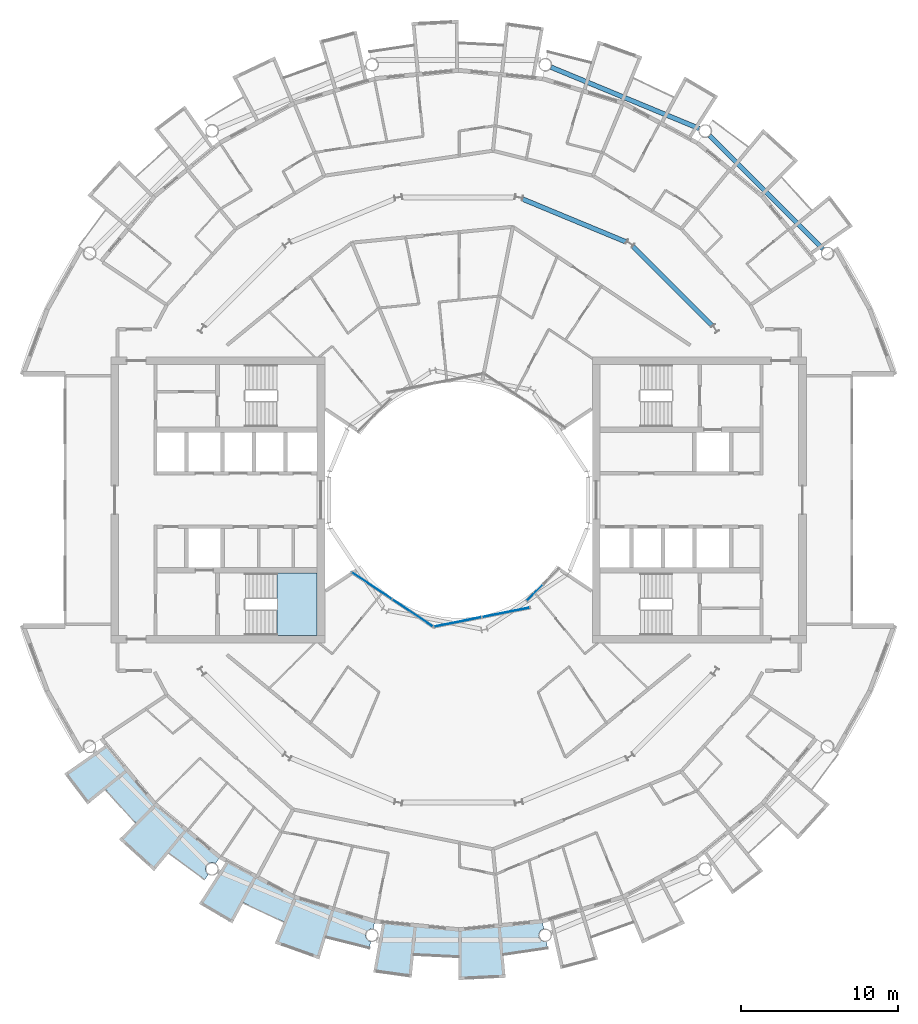
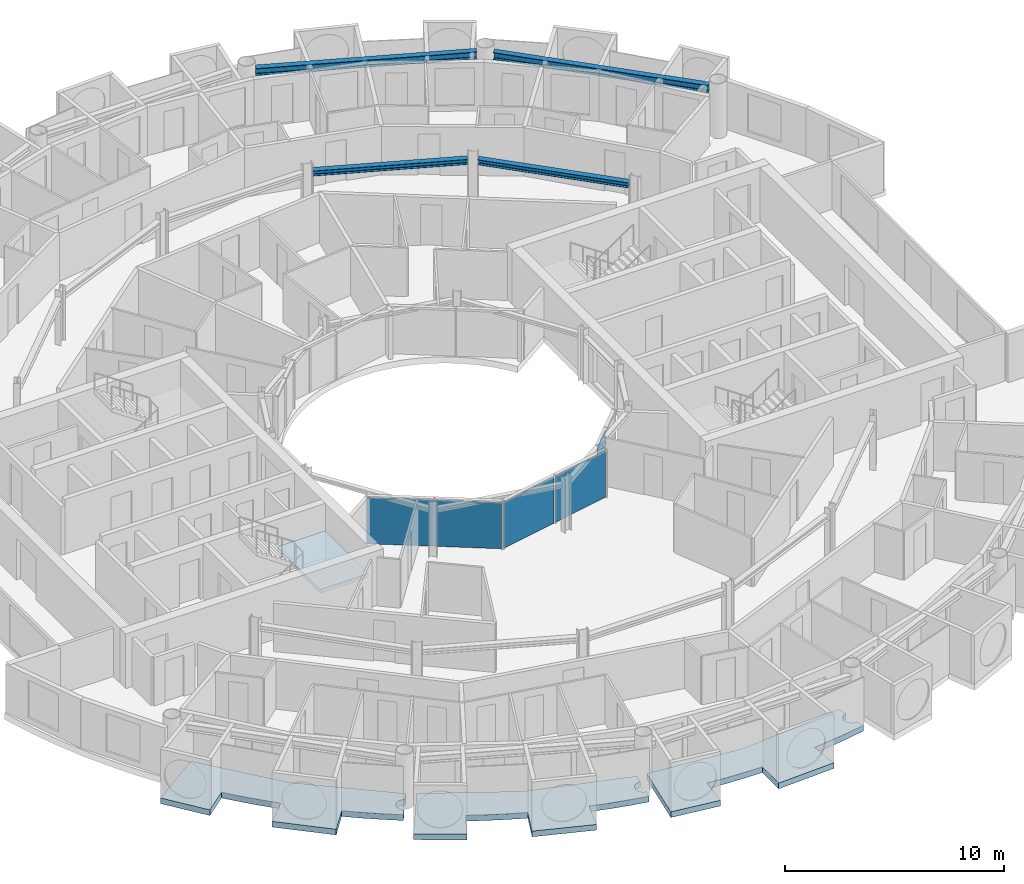
# One storey, part 10 of 27: 5 plates, 4 beams, 4 slabs, 4 elements without a shape of their own.
"""IFC4 building model written with IfcOpenShell, lengths in metres."""

from ifc_helpers import new_model, si_unit, direction, frame, origin, origin_2d, place, context, subcontext, project, spatial, polyline, rectangle, i_section, outline, extrude, material, layer, layer_set, material_profile, profile_set, type_object, element, aggregate, save


model = new_model("IFC4")

# Units and contexts
model_context = context("Model", 3, precision=1e-05, world=origin(), true_north=direction((0.0, 1.0)))
body_context = subcontext(model_context, "Body", "Model", "MODEL_VIEW")
ifc_project = project(units=[si_unit("LENGTHUNIT", "METRE"), si_unit("AREAUNIT", "SQUARE_METRE"), si_unit("VOLUMEUNIT", "CUBIC_METRE"), si_unit("PLANEANGLEUNIT", "RADIAN"), si_unit("MASSUNIT", "GRAM", prefix="KILO")], contexts=[model_context])

# Site, building, storey
site_placement = place(None, origin())
site = spatial("IfcSite", under=ifc_project, at=site_placement, CompositionType="ELEMENT")
building_placement = place(site_placement, origin())
building = spatial("IfcBuilding", under=site, at=building_placement, Name="Maasbend Ring Residences", CompositionType="ELEMENT")
storey_placement = place(building_placement, frame((0.0, 0.0, 145.199951171875)))
storey = spatial("IfcBuildingStorey", under=building, at=storey_placement, Name="L41", CompositionType="ELEMENT", Elevation=145.199951171875)

# Beams
ifc_material_1 = material(Name="Steel S355J2", Category="steel")
ifc_material_profile_1 = material_profile(ifc_material_1, i_section(OverallWidth=0.300048828125, OverallDepth=0.2900390625, WebThickness=0.008544921875, FlangeThickness=0.013916015625, FilletRadius=0.027099609375, at=origin_2d()), Name="HEA 300")
ifc_profile_set_1 = profile_set([ifc_material_profile_1], Name="Steel S355J2")
beam_type_1 = type_object("IfcBeamType", Name="Corridor ring beam HEA 300", PredefinedType="BEAM", material=ifc_profile_set_1)
for number, where, z_axis, x_axis, name in (
    (1, (16.11669921875, 11.0693359375, 2.554931640625), (-0.707106781187, 0.707106781187, 0.0), (-0.707106781187, -0.707106781187, 0.0), "Corridor ring beam"),
    (2, (10.65380859375, 16.394287109375, 2.554931640625), (-0.923871339849, 0.382703210602, 0.0), (-0.382703210602, -0.923871339849, 0.0), "Corridor ring beam"),
):
    element("IfcBeam", number, at=place(storey_placement, frame(where, z_axis=z_axis, x_axis=x_axis)), inside=storey, type_object=beam_type_1, Name=name, PredefinedType="BEAM", context=body_context, shape_type="SweptSolid", body=[
        extrude(i_section(OverallWidth=0.300048828125, OverallDepth=0.2900390625, WebThickness=0.008544921875, FlangeThickness=0.013916015625, FilletRadius=0.027099609375, at=origin_2d()), origin(), (0.0, 0.0, 1.0), 7.137939453125),
    ])
ifc_material_2 = material(Name="Steel S355J2", Category="steel")
ifc_material_profile_2 = material_profile(ifc_material_2, i_section(OverallWidth=0.300048828125, OverallDepth=0.39990234375, WebThickness=0.013427734375, FlangeThickness=0.02392578125, FilletRadius=0.027099609375, at=origin_2d()), Name="HEB 400")
ifc_profile_set_2 = profile_set([ifc_material_profile_2], Name="Steel S355J2")
beam_type_2 = type_object("IfcBeamType", Name="Spandrel ring beam HEB 400", PredefinedType="SPANDREL", material=ifc_profile_set_2)
for number, where, z_axis, x_axis, name in (
    (3, (23.159912109375, 15.95458984375, 2.5), (-0.707106781187, 0.707106781187, 0.0), (-0.707106781187, -0.707106781187, 0.0), "Spandrel ring beam"),
    (4, (15.29150390625, 23.60302734375, 2.5), (-0.923883676188, 0.382673428492, 0.0), (-0.382673428492, -0.923883676188, 0.0), "Spandrel ring beam"),
):
    element("IfcBeam", number, at=place(storey_placement, frame(where, z_axis=z_axis, x_axis=x_axis)), inside=storey, type_object=beam_type_2, Name=name, PredefinedType="SPANDREL", context=body_context, shape_type="SweptSolid", body=[
        extrude(i_section(OverallWidth=0.300048828125, OverallDepth=0.39990234375, WebThickness=0.013427734375, FlangeThickness=0.02392578125, FilletRadius=0.027099609375, at=origin_2d()), origin(), (0.0, 0.0, 1.0), 10.18994140625),
    ])

# Stair, slab
ifc_material_3 = material(Name="Concrete C40/50", Category="concrete")
stair_type = type_object("IfcStairType", Name="CORE STAIR 18 RISERS", PredefinedType="HALF_TURN_STAIR", material=ifc_material_3)
stair_placement = place(storey_placement, origin())
stair = element("IfcStair", 5, at=stair_placement, inside=storey, type_object=stair_type, Name="L41 Exit stair ST-W1", PredefinedType="HALF_TURN_STAIR")
ifc_material_4 = material(Name="Concrete C40/50", Category="concrete")
ifc_layer_1 = layer(ifc_material_4, 0.199951171875)
ifc_layer_set_1 = layer_set([ifc_layer_1], Name="Concrete C40/50")
slab_type_1 = type_object("IfcSlabType", Name="CORE STAIR LANDING 200", PredefinedType="LANDING", material=ifc_layer_set_1)
slab_1_placement = place(storey_placement, frame((0.0, 0.0, 1.324951171875)))
slab_1 = element("IfcSlab", 6, at=slab_1_placement, type_object=slab_type_1, Name="ST-W1 landing 1", PredefinedType="LANDING", context=body_context, shape_type="SweptSolid", body=[
    extrude(outline(polyline([(-11.550048828125, -8.60009765625), (-9.0, -8.60009765625), (-9.0, -4.64990234375), (-11.550048828125, -4.64990234375), (-11.550048828125, -8.60009765625)])), origin(), (0.0, 0.0, 1.0), 0.2001953125),
])
aggregate(stair, [slab_1])

# Curtain wall, plates
ifc_material_5 = material(Name="Aluminium and clear glass", Category="aluminium")
ifc_layer_2 = layer(ifc_material_5, 0.179931640625)
ifc_layer_set_2 = layer_set([ifc_layer_2], Name="CW-W")
curtain_wall_type = type_object("IfcCurtainWallType", Name="CW-W", PredefinedType="NOTDEFINED", material=ifc_layer_set_2)
curtain_wall_1_placement = place(storey_placement, origin())
curtain_wall_1 = element("IfcCurtainWall", 7, at=curtain_wall_1_placement, inside=storey, type_object=curtain_wall_type, Name="Well curtain wall S1", PredefinedType="NOTDEFINED")
ifc_material_6 = material(Name="Glass clear laminated", Category="glass")
ifc_layer_3 = layer(ifc_material_6, 0.031982421875)
ifc_layer_set_3 = layer_set([ifc_layer_3], Name="CWP-W")
plate_type = type_object("IfcPlateType", Name="CWP-W", PredefinedType="CURTAIN_PANEL", material=ifc_layer_set_3)
plate_1_placement = place(storey_placement, frame((-5.51123046875, -5.44580078125, 0.0), z_axis=(0.0, 0.0, 1.0), x_axis=(0.831469612303, -0.55557023302, 0.0)))
plate_1 = element("IfcPlate", 8, at=plate_1_placement, type_object=plate_type, Name="Glass panel well face", PredefinedType="CURTAIN_PANEL", context=body_context, shape_type="SweptSolid", body=[
    extrude(rectangle(XDim=3.053955078125, YDim=0.031982421875, at=origin_2d()), origin(), (0.0, 0.0, 1.0), 2.580078125),
])
plate_2_placement = place(storey_placement, frame((-2.922119140625, -7.17578125, 0.0), z_axis=(0.0, 0.0, 1.0), x_axis=(0.831469612303, -0.55557023302, 0.0)))
plate_2 = element("IfcPlate", 9, at=plate_2_placement, type_object=plate_type, Name="Glass panel well face", PredefinedType="CURTAIN_PANEL", context=body_context, shape_type="SweptSolid", body=[
    extrude(rectangle(XDim=3.053955078125, YDim=0.031982421875, at=origin_2d()), origin(), (0.0, 0.0, 1.0), 2.580078125),
])
aggregate(curtain_wall_1, [plate_1, plate_2])

curtain_wall_2_placement = place(storey_placement, origin())
curtain_wall_2 = element("IfcCurtainWall", 10, at=curtain_wall_2_placement, inside=storey, type_object=curtain_wall_type, Name="Well curtain wall S2", PredefinedType="NOTDEFINED")
plate_3_placement = place(storey_placement, frame((-0.04638671875, -7.747802734375, 0.0), z_axis=(0.0, 0.0, 1.0), x_axis=(0.980785280403, 0.195090322016, 0.0)))
plate_3 = element("IfcPlate", 11, at=plate_3_placement, type_object=plate_type, Name="Glass panel well face", PredefinedType="CURTAIN_PANEL", context=body_context, shape_type="SweptSolid", body=[
    extrude(rectangle(XDim=3.053955078125, YDim=0.031982421875, at=origin_2d()), origin(), (0.0, 0.0, 1.0), 2.580078125),
])
plate_4_placement = place(storey_placement, frame((3.0078125, -7.140380859375, 0.0), z_axis=(0.0, 0.0, 1.0), x_axis=(0.980785280403, 0.195090322016, 0.0)))
plate_4 = element("IfcPlate", 12, at=plate_4_placement, type_object=plate_type, Name="Glass panel well face", PredefinedType="CURTAIN_PANEL", context=body_context, shape_type="SweptSolid", body=[
    extrude(rectangle(XDim=3.053955078125, YDim=0.031982421875, at=origin_2d()), origin(), (0.0, 0.0, 1.0), 2.580078125),
])
aggregate(curtain_wall_2, [plate_3, plate_4])

# Curtain wall, plate
curtain_wall_3_placement = place(storey_placement, origin())
curtain_wall_3 = element("IfcCurtainWall", 13, at=curtain_wall_3_placement, inside=storey, type_object=curtain_wall_type, Name="Well curtain wall S3", PredefinedType="NOTDEFINED")
plate_5_placement = place(storey_placement, frame((4.84375, -5.89013671875, 0.0), z_axis=(0.0, 0.0, 1.0), x_axis=(0.707106781187, 0.707106781187, 0.0)))
plate_5 = element("IfcPlate", 14, at=plate_5_placement, type_object=plate_type, Name="Glass panel well face", PredefinedType="CURTAIN_PANEL", context=body_context, shape_type="SweptSolid", body=[
    extrude(rectangle(XDim=1.419677734375, YDim=0.031982421875, at=origin_2d()), origin(), (0.0, 0.0, 1.0), 2.580078125),
])
aggregate(curtain_wall_3, [plate_5])

# Slabs
ifc_material_7 = material(Name="Concrete C40/50", Category="concrete")
ifc_layer_4 = layer(ifc_material_7, 0.199951171875)
ifc_layer_set_4 = layer_set([ifc_layer_4], Name="Concrete C40/50")
slab_type_2 = type_object("IfcSlabType", Name="SL-LOGGIA", PredefinedType="FLOOR", material=ifc_layer_set_4)
slab_2_placement = place(storey_placement, frame((0.0, 0.0, -0.349853515625)))
element("IfcSlab", 15, at=slab_2_placement, inside=storey, type_object=slab_type_2, Name="Loggia floor 2", PredefinedType="FLOOR", context=body_context, shape_type="SweptSolid", body=[
    extrude(outline(polyline([(-12.806884765625, -23.9609375), (-10.447021484375, -25.221923828125), (-10.447021484375, -25.221923828125), (-10.447021484375, -25.221923828125), (-7.886962890625, -25.9990234375), (-5.325927734375, -26.77490234375), (-5.325927734375, -26.77490234375), (-5.325927734375, -26.77490234375), (-5.422119140625, -27.259033203125), (-5.431884765625, -27.258056640625), (-5.44189453125, -27.256103515625), (-5.451904296875, -27.2548828125), (-5.4619140625, -27.25390625), (-5.471923828125, -27.2529296875), (-5.48193359375, -27.251953125), (-5.491943359375, -27.251953125), (-5.501953125, -27.251953125), (-5.510986328125, -27.251953125), (-5.52099609375, -27.251953125), (-5.531005859375, -27.2529296875), (-5.541015625, -27.25390625), (-5.551025390625, -27.2548828125), (-5.56103515625, -27.256103515625), (-5.571044921875, -27.258056640625), (-5.5810546875, -27.259033203125), (-5.591064453125, -27.260986328125), (-5.60009765625, -27.263916015625), (-5.610107421875, -27.26611328125), (-5.6201171875, -27.26904296875), (-5.62890625, -27.27197265625), (-5.637939453125, -27.27490234375), (-5.64794921875, -27.279052734375), (-5.656982421875, -27.282958984375), (-5.666015625, -27.285888671875), (-5.675048828125, -27.291015625), (-5.68408203125, -27.294921875), (-5.693115234375, -27.300048828125), (-5.701904296875, -27.303955078125), (-5.7099609375, -27.30908203125), (-5.718994140625, -27.31494140625), (-5.72705078125, -27.320068359375), (-5.736083984375, -27.325927734375), (-5.743896484375, -27.33203125), (-5.751953125, -27.337890625), (-5.759033203125, -27.343994140625), (-5.76708984375, -27.35009765625), (-5.77392578125, -27.35693359375), (-5.781982421875, -27.364013671875), (-5.7890625, -27.37109375), (-5.7958984375, -27.3779296875), (-5.802978515625, -27.385009765625), (-5.80908203125, -27.39306640625), (-5.81591796875, -27.39990234375), (-5.822021484375, -27.407958984375), (-5.827880859375, -27.416015625), (-5.833984375, -27.424072265625), (-5.839111328125, -27.431884765625), (-5.844970703125, -27.44091796875), (-5.85009765625, -27.448974609375), (-5.85498046875, -27.4580078125), (-5.860107421875, -27.466064453125), (-5.864990234375, -27.47509765625), (-5.868896484375, -27.48388671875), (-5.873046875, -27.492919921875), (-5.876953125, -27.5029296875), (-5.881103515625, -27.511962890625), (-5.884033203125, -27.52099609375), (-5.886962890625, -27.531005859375), (-5.889892578125, -27.5400390625), (-5.89306640625, -27.550048828125), (-5.89599609375, -27.55908203125), (-5.89794921875, -27.569091796875), (-5.89990234375, -27.5791015625), (-5.902099609375, -27.589111328125), (-5.904052734375, -27.597900390625), (-5.905029296875, -27.60791015625), (-5.906005859375, -27.617919921875), (-5.906982421875, -27.6279296875), (-5.907958984375, -27.637939453125), (-5.907958984375, -27.64794921875), (-5.907958984375, -27.657958984375), (-5.907958984375, -27.66796875), (-5.907958984375, -27.677978515625), (-5.906982421875, -27.68798828125), (-5.906005859375, -27.697998046875), (-5.905029296875, -27.7080078125), (-5.904052734375, -27.718017578125), (-5.902099609375, -27.72802734375), (-5.89990234375, -27.737060546875), (-5.89794921875, -27.7470703125), (-5.89599609375, -27.757080078125), (-5.89306640625, -27.76708984375), (-5.889892578125, -27.77587890625), (-5.886962890625, -27.785888671875), (-5.884033203125, -27.794921875), (-5.881103515625, -27.803955078125), (-5.876953125, -27.81396484375), (-5.873046875, -27.822998046875), (-5.868896484375, -27.83203125), (-5.864990234375, -27.841064453125), (-5.860107421875, -27.85009765625), (-5.85498046875, -27.85791015625), (-5.85009765625, -27.866943359375), (-5.844970703125, -27.8759765625), (-5.839111328125, -27.884033203125), (-5.833984375, -27.89208984375), (-5.827880859375, -27.89990234375), (-5.822021484375, -27.907958984375), (-5.81591796875, -27.916015625), (-5.80908203125, -27.924072265625), (-5.802978515625, -27.930908203125), (-5.7958984375, -27.93798828125), (-5.7890625, -27.946044921875), (-5.781982421875, -27.952880859375), (-5.77392578125, -27.958984375), (-5.76708984375, -27.966064453125), (-5.759033203125, -27.971923828125), (-5.751953125, -27.97900390625), (-5.743896484375, -27.985107421875), (-5.736083984375, -27.989990234375), (-5.72705078125, -27.99609375), (-5.718994140625, -28.001953125), (-5.7099609375, -28.007080078125), (-5.701904296875, -28.011962890625), (-5.693115234375, -28.01708984375), (-5.68408203125, -28.02099609375), (-5.675048828125, -28.02587890625), (-5.666015625, -28.030029296875), (-5.656982421875, -28.033935546875), (-5.64794921875, -28.037109375), (-5.637939453125, -28.041015625), (-5.62890625, -28.0439453125), (-5.6201171875, -28.047119140625), (-5.610107421875, -28.050048828125), (-5.60009765625, -28.052001953125), (-5.591064453125, -28.054931640625), (-5.5810546875, -28.056884765625), (-5.657958984375, -28.443115234375), (-5.657958984375, -28.443115234375), (-5.657958984375, -28.443115234375), (-6.5849609375, -28.241943359375), (-6.5849609375, -28.241943359375), (-7.506103515625, -28.011962890625), (-7.506103515625, -28.011962890625), (-8.41796875, -27.7509765625), (-8.41796875, -27.7509765625), (-8.41796875, -27.7509765625), (-8.41796875, -27.7509765625), (-8.41796875, -27.7509765625), (-8.41796875, -27.7509765625), (-8.41796875, -27.7509765625), (-8.41796875, -27.7509765625), (-8.41796875, -27.7509765625), (-8.41796875, -27.7509765625), (-8.41796875, -27.751953125), (-8.41796875, -27.751953125), (-8.41796875, -27.751953125), (-8.41796875, -27.751953125), (-8.41796875, -27.751953125), (-8.41796875, -27.751953125), (-8.41796875, -27.751953125), (-8.85400390625, -29.18701171875), (-8.85400390625, -29.18701171875), (-8.85400390625, -29.18701171875), (-11.672119140625, -28.177978515625), (-11.672119140625, -28.177978515625), (-11.672119140625, -28.177978515625), (-11.097900390625, -26.79296875), (-11.097900390625, -26.79296875), (-11.097900390625, -26.79296875), (-11.097900390625, -26.79296875), (-11.097900390625, -26.79296875), (-11.097900390625, -26.79296875), (-11.097900390625, -26.79296875), (-11.097900390625, -26.79296875), (-11.097900390625, -26.79296875), (-11.097900390625, -26.79296875), (-11.097900390625, -26.7919921875), (-11.097900390625, -26.7919921875), (-11.097900390625, -26.7919921875), (-11.097900390625, -26.7919921875), (-11.097900390625, -26.7919921875), (-11.097900390625, -26.7919921875), (-11.097900390625, -26.7919921875), (-11.968994140625, -26.4150390625), (-11.968994140625, -26.4150390625), (-12.825927734375, -26.009033203125), (-12.825927734375, -26.009033203125), (-13.669921875, -25.575927734375), (-13.669921875, -25.575927734375), (-13.669921875, -25.575927734375), (-13.669921875, -25.575927734375), (-13.669921875, -25.575927734375), (-13.669921875, -25.575927734375), (-13.669921875, -25.575927734375), (-13.669921875, -25.575927734375), (-13.669921875, -25.575927734375), (-13.669921875, -25.575927734375), (-13.6708984375, -25.575927734375), (-13.6708984375, -25.575927734375), (-13.6708984375, -25.575927734375), (-13.6708984375, -25.575927734375), (-13.6708984375, -25.575927734375), (-13.6708984375, -25.575927734375), (-13.6708984375, -25.575927734375), (-14.3779296875, -26.89892578125), (-14.3779296875, -26.89892578125), (-14.3779296875, -26.89892578125), (-16.487060546875, -25.659912109375), (-16.487060546875, -25.659912109375), (-16.487060546875, -25.659912109375), (-14.73291015625, -22.930908203125), (-14.73291015625, -22.930908203125), (-14.73291015625, -22.930908203125), (-12.806884765625, -23.9609375)])), origin(), (0.0, 0.0, 1.0), 0.31982421875),
])
slab_3_placement = place(storey_placement, frame((0.0, 0.0, -0.349853515625)))
element("IfcSlab", 16, at=slab_3_placement, inside=storey, type_object=slab_type_2, Name="Loggia floor 3", PredefinedType="FLOOR", context=body_context, shape_type="SweptSolid", body=[
    extrude(outline(polyline([(-2.6630859375, -27.0380859375), (0.0, -27.300048828125), (0.0, -27.300048828125), (0.0, -27.300048828125), (2.6630859375, -27.0380859375), (5.325927734375, -26.77490234375), (5.325927734375, -26.77490234375), (5.325927734375, -26.77490234375), (5.422119140625, -27.259033203125), (5.422119140625, -27.259033203125), (5.412109375, -27.260986328125), (5.403076171875, -27.263916015625), (5.39306640625, -27.26611328125), (5.383056640625, -27.26904296875), (5.3740234375, -27.27197265625), (5.364990234375, -27.27490234375), (5.35498046875, -27.279052734375), (5.345947265625, -27.282958984375), (5.3369140625, -27.285888671875), (5.327880859375, -27.291015625), (5.319091796875, -27.294921875), (5.31005859375, -27.300048828125), (5.301025390625, -27.303955078125), (5.29296875, -27.30908203125), (5.283935546875, -27.31494140625), (5.27587890625, -27.320068359375), (5.26708984375, -27.325927734375), (5.259033203125, -27.33203125), (5.2509765625, -27.337890625), (5.243896484375, -27.343994140625), (5.236083984375, -27.35009765625), (5.22900390625, -27.35693359375), (5.220947265625, -27.364013671875), (5.214111328125, -27.37109375), (5.20703125, -27.3779296875), (5.199951171875, -27.385009765625), (5.194091796875, -27.39306640625), (5.18701171875, -27.39990234375), (5.180908203125, -27.407958984375), (5.175048828125, -27.416015625), (5.1689453125, -27.424072265625), (5.1640625, -27.431884765625), (5.157958984375, -27.44091796875), (5.153076171875, -27.448974609375), (5.14794921875, -27.4580078125), (5.14306640625, -27.466064453125), (5.137939453125, -27.47509765625), (5.134033203125, -27.48388671875), (5.1298828125, -27.492919921875), (5.1259765625, -27.5029296875), (5.1220703125, -27.511962890625), (5.118896484375, -27.52099609375), (5.115966796875, -27.531005859375), (5.113037109375, -27.5400390625), (5.110107421875, -27.550048828125), (5.10693359375, -27.55908203125), (5.10498046875, -27.569091796875), (5.10302734375, -27.5791015625), (5.10107421875, -27.589111328125), (5.09912109375, -27.597900390625), (5.097900390625, -27.60791015625), (5.096923828125, -27.617919921875), (5.095947265625, -27.6279296875), (5.094970703125, -27.637939453125), (5.094970703125, -27.64794921875), (5.094970703125, -27.657958984375), (5.094970703125, -27.66796875), (5.094970703125, -27.677978515625), (5.095947265625, -27.68798828125), (5.096923828125, -27.697998046875), (5.097900390625, -27.7080078125), (5.09912109375, -27.718017578125), (5.10107421875, -27.72802734375), (5.10302734375, -27.737060546875), (5.10498046875, -27.7470703125), (5.10693359375, -27.757080078125), (5.110107421875, -27.76708984375), (5.113037109375, -27.77587890625), (5.115966796875, -27.785888671875), (5.118896484375, -27.794921875), (5.1220703125, -27.803955078125), (5.1259765625, -27.81396484375), (5.1298828125, -27.822998046875), (5.134033203125, -27.83203125), (5.137939453125, -27.841064453125), (5.14306640625, -27.85009765625), (5.14794921875, -27.85791015625), (5.153076171875, -27.866943359375), (5.157958984375, -27.8759765625), (5.1640625, -27.884033203125), (5.1689453125, -27.89208984375), (5.175048828125, -27.89990234375), (5.180908203125, -27.907958984375), (5.18701171875, -27.916015625), (5.194091796875, -27.924072265625), (5.199951171875, -27.930908203125), (5.20703125, -27.93798828125), (5.214111328125, -27.946044921875), (5.220947265625, -27.952880859375), (5.22900390625, -27.958984375), (5.236083984375, -27.966064453125), (5.243896484375, -27.971923828125), (5.2509765625, -27.97900390625), (5.259033203125, -27.985107421875), (5.26708984375, -27.989990234375), (5.27587890625, -27.99609375), (5.283935546875, -28.001953125), (5.29296875, -28.007080078125), (5.301025390625, -28.011962890625), (5.31005859375, -28.01708984375), (5.319091796875, -28.02099609375), (5.327880859375, -28.02587890625), (5.3369140625, -28.030029296875), (5.345947265625, -28.033935546875), (5.35498046875, -28.037109375), (5.364990234375, -28.041015625), (5.3740234375, -28.0439453125), (5.383056640625, -28.047119140625), (5.39306640625, -28.050048828125), (5.403076171875, -28.052001953125), (5.412109375, -28.054931640625), (5.422119140625, -28.056884765625), (5.431884765625, -28.05908203125), (5.44189453125, -28.06005859375), (5.451904296875, -28.06201171875), (5.4619140625, -28.06298828125), (5.471923828125, -28.06298828125), (5.48193359375, -28.06396484375), (5.491943359375, -28.06396484375), (5.501953125, -28.06494140625), (5.510986328125, -28.06396484375), (5.52099609375, -28.06396484375), (5.531005859375, -28.06298828125), (5.541015625, -28.06298828125), (5.551025390625, -28.06201171875), (5.56103515625, -28.06005859375), (5.571044921875, -28.05908203125), (5.5810546875, -28.056884765625), (5.5810546875, -28.056884765625), (5.657958984375, -28.443115234375), (5.657958984375, -28.443115234375), (5.657958984375, -28.443115234375), (4.72412109375, -28.613037109375), (4.72412109375, -28.613037109375), (3.784912109375, -28.751953125), (3.784912109375, -28.751953125), (2.843017578125, -28.860107421875), (2.843017578125, -28.860107421875), (2.843017578125, -28.860107421875), (2.843017578125, -28.860107421875), (2.843017578125, -28.860107421875), (2.843017578125, -28.860107421875), (2.843017578125, -28.860107421875), (2.843017578125, -28.860107421875), (2.843017578125, -28.860107421875), (2.843017578125, -28.861083984375), (2.843017578125, -28.861083984375), (2.843017578125, -28.861083984375), (2.843017578125, -28.861083984375), (2.843017578125, -28.861083984375), (2.843017578125, -28.861083984375), (2.843017578125, -28.861083984375), (2.843017578125, -28.861083984375), (2.989990234375, -30.35302734375), (2.989990234375, -30.35302734375), (2.989990234375, -30.35302734375), (0.0, -30.5), (0.0, -30.5), (0.0, -30.5), (0.0, -29.0), (0.0, -29.0), (0.0, -29.0), (0.0, -29.0), (0.0, -29.0), (0.0, -29.0), (0.0, -29.0), (0.0, -29.0), (0.0, -29.0), (0.0, -29.0), (0.0, -29.0), (0.0, -29.0), (0.0, -29.0), (0.0, -29.0), (0.0, -29.0), (0.0, -29.0), (0.0, -29.0), (-0.948974609375, -28.98388671875), (-0.948974609375, -28.98388671875), (-1.89697265625, -28.93798828125), (-1.89697265625, -28.93798828125), (-2.842041015625, -28.860107421875), (-2.842041015625, -28.860107421875), (-2.842041015625, -28.860107421875), (-2.842041015625, -28.860107421875), (-2.842041015625, -28.860107421875), (-2.842041015625, -28.860107421875), (-2.842041015625, -28.860107421875), (-2.842041015625, -28.860107421875), (-2.842041015625, -28.861083984375), (-2.842041015625, -28.861083984375), (-2.842041015625, -28.861083984375), (-2.842041015625, -28.861083984375), (-2.842041015625, -28.861083984375), (-2.843017578125, -28.861083984375), (-2.843017578125, -28.861083984375), (-2.843017578125, -28.861083984375), (-2.843017578125, -28.861083984375), (-2.989990234375, -30.35302734375), (-2.989990234375, -30.35302734375), (-2.989990234375, -30.35302734375), (-5.412109375, -30.01611328125), (-5.412109375, -30.01611328125), (-5.412109375, -30.01611328125), (-4.8359375, -26.823974609375), (-4.8359375, -26.823974609375), (-4.8359375, -26.823974609375), (-2.6630859375, -27.0380859375)])), origin(), (0.0, 0.0, 1.0), 0.31982421875),
])
slab_4_placement = place(storey_placement, frame((0.0, 0.0, -0.349853515625)))
element("IfcSlab", 17, at=slab_4_placement, inside=storey, type_object=slab_type_2, Name="Loggia floor 5", PredefinedType="FLOOR", context=body_context, shape_type="SweptSolid", body=[
    extrude(outline(polyline([(-21.001953125, -17.236083984375), (-19.303955078125, -19.303955078125), (-19.303955078125, -19.303955078125), (-19.303955078125, -19.303955078125), (-17.236083984375, -21.001953125), (-15.1669921875, -22.698974609375), (-15.1669921875, -22.698974609375), (-15.1669921875, -22.698974609375), (-15.44091796875, -23.10888671875), (-15.44091796875, -23.10888671875), (-15.449951171875, -23.10400390625), (-15.4580078125, -23.09912109375), (-15.467041015625, -23.093994140625), (-15.47509765625, -23.089111328125), (-15.48388671875, -23.083984375), (-15.492919921875, -23.080078125), (-15.501953125, -23.075927734375), (-15.511962890625, -23.072021484375), (-15.52099609375, -23.068115234375), (-15.530029296875, -23.06494140625), (-15.5400390625, -23.06103515625), (-15.549072265625, -23.05810546875), (-15.55908203125, -23.055908203125), (-15.568115234375, -23.052978515625), (-15.577880859375, -23.051025390625), (-15.587890625, -23.049072265625), (-15.597900390625, -23.047119140625), (-15.60693359375, -23.044921875), (-15.616943359375, -23.0439453125), (-15.626953125, -23.04296875), (-15.636962890625, -23.0419921875), (-15.64697265625, -23.041015625), (-15.656982421875, -23.041015625), (-15.6669921875, -23.041015625), (-15.677001953125, -23.041015625), (-15.68701171875, -23.041015625), (-15.697021484375, -23.0419921875), (-15.70703125, -23.04296875), (-15.717041015625, -23.0439453125), (-15.72705078125, -23.044921875), (-15.737060546875, -23.047119140625), (-15.74609375, -23.049072265625), (-15.756103515625, -23.051025390625), (-15.76611328125, -23.052978515625), (-15.77587890625, -23.055908203125), (-15.784912109375, -23.05810546875), (-15.794921875, -23.06103515625), (-15.803955078125, -23.06494140625), (-15.81298828125, -23.068115234375), (-15.822998046875, -23.072021484375), (-15.83203125, -23.075927734375), (-15.841064453125, -23.080078125), (-15.85009765625, -23.083984375), (-15.85888671875, -23.089111328125), (-15.866943359375, -23.093994140625), (-15.8759765625, -23.09912109375), (-15.885009765625, -23.10400390625), (-15.89306640625, -23.10888671875), (-15.90087890625, -23.114990234375), (-15.908935546875, -23.12109375), (-15.9169921875, -23.126953125), (-15.925048828125, -23.133056640625), (-15.93310546875, -23.139892578125), (-15.93994140625, -23.14599609375), (-15.947021484375, -23.153076171875), (-15.955078125, -23.159912109375), (-15.9619140625, -23.1669921875), (-15.968017578125, -23.174072265625), (-15.97509765625, -23.181884765625), (-15.98095703125, -23.18994140625), (-15.988037109375, -23.197021484375), (-15.993896484375, -23.205078125), (-15.9990234375, -23.212890625), (-16.0048828125, -23.221923828125), (-16.010986328125, -23.22998046875), (-16.01611328125, -23.238037109375), (-16.02099609375, -23.2470703125), (-16.02587890625, -23.256103515625), (-16.030029296875, -23.264892578125), (-16.034912109375, -23.27392578125), (-16.0390625, -23.282958984375), (-16.04296875, -23.2919921875), (-16.0458984375, -23.301025390625), (-16.050048828125, -23.31005859375), (-16.052978515625, -23.320068359375), (-16.055908203125, -23.3291015625), (-16.05908203125, -23.339111328125), (-16.06103515625, -23.34912109375), (-16.06396484375, -23.35791015625), (-16.06591796875, -23.367919921875), (-16.068115234375, -23.3779296875), (-16.069091796875, -23.387939453125), (-16.071044921875, -23.39794921875), (-16.072021484375, -23.407958984375), (-16.072021484375, -23.4169921875), (-16.072998046875, -23.427001953125), (-16.072998046875, -23.43701171875), (-16.073974609375, -23.447021484375), (-16.072998046875, -23.45703125), (-16.072998046875, -23.467041015625), (-16.072021484375, -23.47705078125), (-16.072021484375, -23.487060546875), (-16.071044921875, -23.4970703125), (-16.069091796875, -23.507080078125), (-16.068115234375, -23.51708984375), (-16.06591796875, -23.527099609375), (-16.06396484375, -23.535888671875), (-16.06103515625, -23.5458984375), (-16.05908203125, -23.555908203125), (-16.055908203125, -23.56494140625), (-16.052978515625, -23.574951171875), (-16.050048828125, -23.583984375), (-16.0458984375, -23.593994140625), (-16.04296875, -23.60302734375), (-16.0390625, -23.612060546875), (-16.034912109375, -23.62109375), (-16.030029296875, -23.6298828125), (-16.02587890625, -23.638916015625), (-16.02099609375, -23.64794921875), (-16.01611328125, -23.656005859375), (-16.010986328125, -23.6650390625), (-16.0048828125, -23.673095703125), (-15.9990234375, -23.680908203125), (-15.993896484375, -23.68994140625), (-15.988037109375, -23.697021484375), (-15.98095703125, -23.705078125), (-15.97509765625, -23.712890625), (-15.968017578125, -23.719970703125), (-15.9619140625, -23.72802734375), (-15.955078125, -23.735107421875), (-15.947021484375, -23.741943359375), (-15.93994140625, -23.7490234375), (-15.93310546875, -23.7548828125), (-15.925048828125, -23.761962890625), (-15.9169921875, -23.76806640625), (-15.908935546875, -23.77392578125), (-15.90087890625, -23.780029296875), (-15.89306640625, -23.784912109375), (-15.89306640625, -23.784912109375), (-16.112060546875, -24.113037109375), (-16.112060546875, -24.113037109375), (-16.112060546875, -24.113037109375), (-16.89208984375, -23.572998046875), (-16.89208984375, -23.572998046875), (-17.654052734375, -23.007080078125), (-17.654052734375, -23.007080078125), (-18.39697265625, -22.41796875), (-18.39697265625, -22.41796875), (-18.39697265625, -22.41796875), (-18.39697265625, -22.41796875), (-18.39697265625, -22.41796875), (-18.39697265625, -22.41796875), (-18.39697265625, -22.41796875), (-18.39697265625, -22.41796875), (-18.39697265625, -22.41796875), (-18.39697265625, -22.41796875), (-18.39697265625, -22.41796875), (-18.39794921875, -22.41796875), (-18.39794921875, -22.41796875), (-18.39794921875, -22.41796875), (-18.39794921875, -22.41796875), (-18.39794921875, -22.41796875), (-18.39794921875, -22.41796875), (-19.34912109375, -23.576904296875), (-19.34912109375, -23.576904296875), (-19.34912109375, -23.576904296875), (-21.56689453125, -21.56689453125), (-21.56689453125, -21.56689453125), (-21.56689453125, -21.56689453125), (-20.506103515625, -20.506103515625), (-20.506103515625, -20.506103515625), (-20.506103515625, -20.506103515625), (-20.506103515625, -20.506103515625), (-20.506103515625, -20.506103515625), (-20.506103515625, -20.506103515625), (-20.506103515625, -20.506103515625), (-20.506103515625, -20.506103515625), (-20.506103515625, -20.506103515625), (-20.506103515625, -20.506103515625), (-20.506103515625, -20.506103515625), (-20.506103515625, -20.506103515625), (-20.506103515625, -20.506103515625), (-20.506103515625, -20.506103515625), (-20.506103515625, -20.506103515625), (-20.506103515625, -20.506103515625), (-20.506103515625, -20.506103515625), (-21.166015625, -19.823974609375), (-21.166015625, -19.823974609375), (-21.802978515625, -19.12109375), (-21.802978515625, -19.12109375), (-22.4169921875, -18.39794921875), (-22.4169921875, -18.39794921875), (-22.4169921875, -18.39794921875), (-22.4169921875, -18.39794921875), (-22.4169921875, -18.39794921875), (-22.4169921875, -18.39794921875), (-22.4169921875, -18.39794921875), (-22.4169921875, -18.39794921875), (-22.4169921875, -18.39794921875), (-22.4169921875, -18.39794921875), (-22.4169921875, -18.39794921875), (-22.4169921875, -18.39794921875), (-22.41796875, -18.39794921875), (-22.41796875, -18.39794921875), (-22.41796875, -18.39794921875), (-22.41796875, -18.39794921875), (-22.41796875, -18.39794921875), (-23.576904296875, -19.34912109375), (-23.576904296875, -19.34912109375), (-23.576904296875, -19.34912109375), (-25.051025390625, -17.39794921875), (-25.051025390625, -17.39794921875), (-25.051025390625, -17.39794921875), (-22.386962890625, -15.547119140625), (-22.386962890625, -15.547119140625), (-22.386962890625, -15.547119140625), (-21.001953125, -17.236083984375)])), origin(), (0.0, 0.0, 1.0), 0.31982421875),
])

save(model, "model.ifc")
